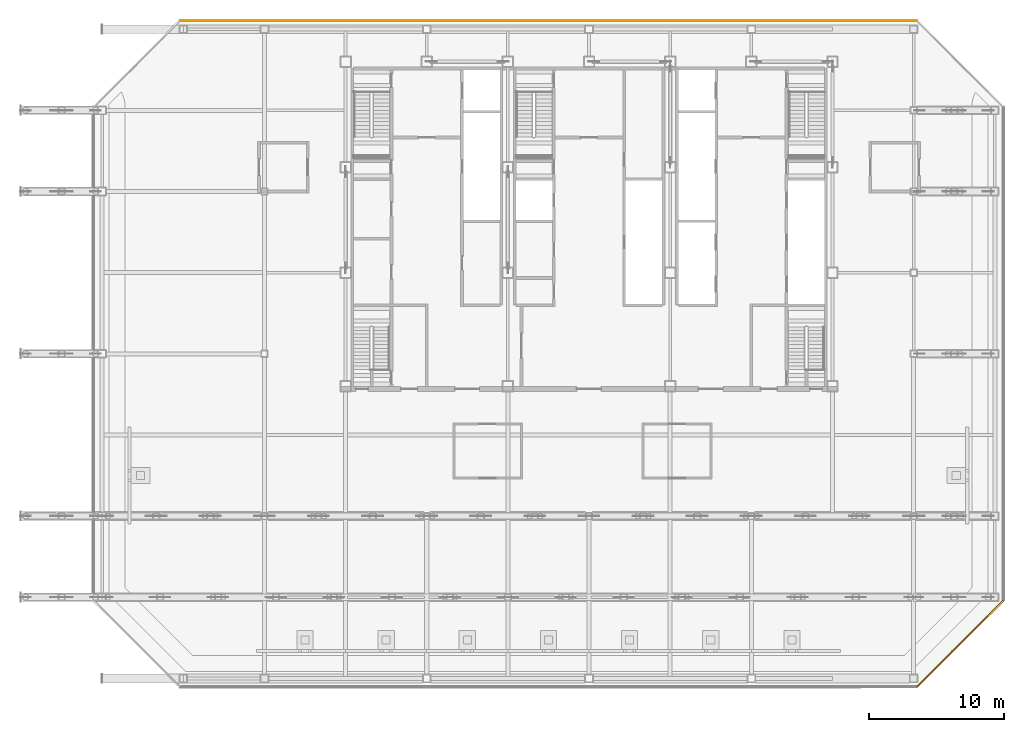
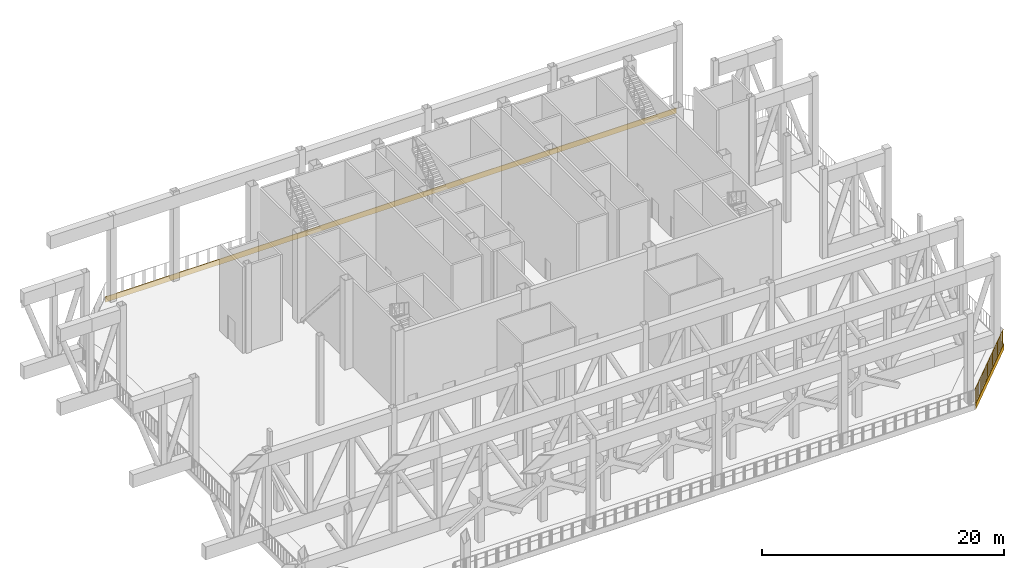
# One storey, part 20 of 22: 2 coverings, 1 railing.
"""IFC4 building model written with IfcOpenShell, lengths in metres."""

from ifc_helpers import new_model, si_unit, direction, frame, origin, origin_2d, place, context, subcontext, project, spatial, polyline, circle, outline, extrude, material, layer, layer_set, type_object, element, save


model = new_model("IFC4")

# Units and contexts
model_context = context("Model", 3, precision=1e-05, world=origin(), true_north=direction((0.0, 1.0)))
body_context = subcontext(model_context, "Body", "Model", "MODEL_VIEW")
ifc_project = project(units=[si_unit("LENGTHUNIT", "METRE"), si_unit("AREAUNIT", "SQUARE_METRE"), si_unit("VOLUMEUNIT", "CUBIC_METRE"), si_unit("PLANEANGLEUNIT", "RADIAN"), si_unit("MASSUNIT", "GRAM", prefix="KILO")], contexts=[model_context])

# Site, building, storey
site_placement = place(None, origin())
site = spatial("IfcSite", under=ifc_project, at=site_placement, CompositionType="ELEMENT")
building_placement = place(site_placement, origin())
building = spatial("IfcBuilding", under=site, at=building_placement, Name="Sorahane Residences", CompositionType="ELEMENT")
storey_placement = place(building_placement, frame((0.0, 0.0, 281.800048828125)))
storey = spatial("IfcBuildingStorey", under=building, at=storey_placement, Name="L67", CompositionType="ELEMENT", Elevation=281.800048828125)

# Coverings
ifc_material_1 = material(Name="White painted aluminium cladding", Category="aluminium")
ifc_layer = layer(ifc_material_1, 0.06005859375)
ifc_layer_set = layer_set([ifc_layer], Name="Slab edge fascia band white painted aluminium 550")
covering_type = type_object("IfcCoveringType", Name="Slab edge fascia band white painted aluminium 550", PredefinedType="CLADDING", material=ifc_layer_set)
covering_1_placement = place(storey_placement, frame((48.2626953125, -0.5859375, -0.275146484375), z_axis=(0.707106781187, 0.707106781187, 0.0), x_axis=(-0.707106781187, 0.707106781187, 0.0)))
element("IfcCovering", 1, at=covering_1_placement, inside=storey, type_object=covering_type, Name="Slab edge fascia white L67 SE1", PredefinedType="CLADDING", context=body_context, shape_type="SweptSolid", body=[
    extrude(outline(polyline([(-0.02001953125, 0.27490234375), (-0.080078125, 0.27490234375), (-0.080078125, -0.27490234375), (-0.02001953125, -0.27490234375), (-0.02001953125, 0.27490234375)])), origin(), (0.0, 0.0, 1.0), 8.9423828125),
])
covering_2_placement = place(storey_placement, frame((48.228515625, 48.60009765625, -0.275146484375), z_axis=(-1.0, 0.0, 0.0), x_axis=(0.0, -1.0, 0.0)))
element("IfcCovering", 2, at=covering_2_placement, inside=storey, type_object=covering_type, Name="Slab edge fascia white L67 N1", PredefinedType="CLADDING", context=body_context, shape_type="SweptSolid", body=[
    extrude(outline(polyline([(-0.02001953125, 0.27490234375), (-0.080078125, 0.27490234375), (-0.080078125, -0.27490234375), (-0.02001953125, -0.27490234375), (-0.02001953125, 0.27490234375)])), origin(), (0.0, 0.0, 1.0), 54.45703125),
])

# Railing
ifc_material_2 = material(Name="Black powder-coated steel", Category="steel")
railing_type = type_object("IfcRailingType", Name="Slot edge guard black steel bars 1460", PredefinedType="GUARDRAIL", material=ifc_material_2)
railing_placement = place(storey_placement, frame((48.24853515625, -0.60009765625, 0.0)))
element("IfcRailing", 3, at=railing_placement, inside=storey, type_object=railing_type, Name="Slot edge guard L67.2", PredefinedType="GUARDRAIL", context=body_context, shape_type="SweptSolid", body=[
    extrude(circle(Radius=0.030029296875, at=origin_2d()), frame((0.0, 0.0, 1.429931640625), z_axis=(0.707106781187, 0.707106781187, 0.0), x_axis=(-0.707106781187, 0.707106781187, 0.0)), (0.0, 0.0, 1.0), 8.982421875),
    extrude(circle(Radius=0.0068359375, at=origin_2d()), origin(), (0.0, 0.0, 1.0), 1.39990234375),
    extrude(circle(Radius=0.0068359375, at=origin_2d()), frame((0.070556640625, 0.070556640625, 0.0)), (0.0, 0.0, 1.0), 1.39990234375),
    extrude(circle(Radius=0.0068359375, at=origin_2d()), frame((0.14111328125, 0.14111328125, 0.0)), (0.0, 0.0, 1.0), 1.39990234375),
    extrude(circle(Radius=0.0068359375, at=origin_2d()), frame((0.211669921875, 0.211669921875, 0.0)), (0.0, 0.0, 1.0), 1.39990234375),
    extrude(circle(Radius=0.0068359375, at=origin_2d()), frame((0.2822265625, 0.2822265625, 0.0)), (0.0, 0.0, 1.0), 1.39990234375),
    extrude(circle(Radius=0.0068359375, at=origin_2d()), frame((0.352783203125, 0.352783203125, 0.0)), (0.0, 0.0, 1.0), 1.39990234375),
    extrude(circle(Radius=0.0068359375, at=origin_2d()), frame((0.42333984375, 0.42333984375, 0.0)), (0.0, 0.0, 1.0), 1.39990234375),
    extrude(circle(Radius=0.0068359375, at=origin_2d()), frame((0.493896484375, 0.493896484375, 0.0)), (0.0, 0.0, 1.0), 1.39990234375),
    extrude(circle(Radius=0.0068359375, at=origin_2d()), frame((0.564697265625, 0.564697265625, 0.0)), (0.0, 0.0, 1.0), 1.39990234375),
    extrude(circle(Radius=0.0068359375, at=origin_2d()), frame((0.63525390625, 0.63525390625, 0.0)), (0.0, 0.0, 1.0), 1.39990234375),
    extrude(circle(Radius=0.0068359375, at=origin_2d()), frame((0.705810546875, 0.705810546875, 0.0)), (0.0, 0.0, 1.0), 1.39990234375),
    extrude(circle(Radius=0.0068359375, at=origin_2d()), frame((0.7763671875, 0.7763671875, 0.0)), (0.0, 0.0, 1.0), 1.39990234375),
    extrude(circle(Radius=0.0068359375, at=origin_2d()), frame((0.846923828125, 0.846923828125, 0.0)), (0.0, 0.0, 1.0), 1.39990234375),
    extrude(circle(Radius=0.0068359375, at=origin_2d()), frame((0.91748046875, 0.91748046875, 0.0)), (0.0, 0.0, 1.0), 1.39990234375),
    extrude(circle(Radius=0.0068359375, at=origin_2d()), frame((0.988037109375, 0.988037109375, 0.0)), (0.0, 0.0, 1.0), 1.39990234375),
    extrude(circle(Radius=0.0068359375, at=origin_2d()), frame((1.05859375, 1.05859375, 0.0)), (0.0, 0.0, 1.0), 1.39990234375),
    extrude(circle(Radius=0.0068359375, at=origin_2d()), frame((1.129150390625, 1.129150390625, 0.0)), (0.0, 0.0, 1.0), 1.39990234375),
    extrude(circle(Radius=0.0068359375, at=origin_2d()), frame((1.19970703125, 1.19970703125, 0.0)), (0.0, 0.0, 1.0), 1.39990234375),
    extrude(circle(Radius=0.0068359375, at=origin_2d()), frame((1.270263671875, 1.270263671875, 0.0)), (0.0, 0.0, 1.0), 1.39990234375),
    extrude(circle(Radius=0.0068359375, at=origin_2d()), frame((1.3408203125, 1.3408203125, 0.0)), (0.0, 0.0, 1.0), 1.39990234375),
    extrude(circle(Radius=0.0068359375, at=origin_2d()), frame((1.411376953125, 1.411376953125, 0.0)), (0.0, 0.0, 1.0), 1.39990234375),
    extrude(circle(Radius=0.0068359375, at=origin_2d()), frame((1.48193359375, 1.48193359375, 0.0)), (0.0, 0.0, 1.0), 1.39990234375),
    extrude(circle(Radius=0.0068359375, at=origin_2d()), frame((1.552490234375, 1.552490234375, 0.0)), (0.0, 0.0, 1.0), 1.39990234375),
    extrude(circle(Radius=0.0068359375, at=origin_2d()), frame((1.623291015625, 1.623291015625, 0.0)), (0.0, 0.0, 1.0), 1.39990234375),
    extrude(circle(Radius=0.0068359375, at=origin_2d()), frame((1.69384765625, 1.69384765625, 0.0)), (0.0, 0.0, 1.0), 1.39990234375),
    extrude(circle(Radius=0.0068359375, at=origin_2d()), frame((1.764404296875, 1.764404296875, 0.0)), (0.0, 0.0, 1.0), 1.39990234375),
    extrude(circle(Radius=0.0068359375, at=origin_2d()), frame((1.8349609375, 1.8349609375, 0.0)), (0.0, 0.0, 1.0), 1.39990234375),
    extrude(circle(Radius=0.0068359375, at=origin_2d()), frame((1.905517578125, 1.905517578125, 0.0)), (0.0, 0.0, 1.0), 1.39990234375),
    extrude(circle(Radius=0.0068359375, at=origin_2d()), frame((1.97607421875, 1.97607421875, 0.0)), (0.0, 0.0, 1.0), 1.39990234375),
    extrude(circle(Radius=0.0068359375, at=origin_2d()), frame((2.046630859375, 2.046630859375, 0.0)), (0.0, 0.0, 1.0), 1.39990234375),
    extrude(circle(Radius=0.0068359375, at=origin_2d()), frame((2.1171875, 2.1171875, 0.0)), (0.0, 0.0, 1.0), 1.39990234375),
    extrude(circle(Radius=0.0068359375, at=origin_2d()), frame((2.187744140625, 2.187744140625, 0.0)), (0.0, 0.0, 1.0), 1.39990234375),
    extrude(circle(Radius=0.0068359375, at=origin_2d()), frame((2.25830078125, 2.25830078125, 0.0)), (0.0, 0.0, 1.0), 1.39990234375),
    extrude(circle(Radius=0.0068359375, at=origin_2d()), frame((2.328857421875, 2.328857421875, 0.0)), (0.0, 0.0, 1.0), 1.39990234375),
    extrude(circle(Radius=0.0068359375, at=origin_2d()), frame((2.3994140625, 2.3994140625, 0.0)), (0.0, 0.0, 1.0), 1.39990234375),
    extrude(circle(Radius=0.0068359375, at=origin_2d()), frame((2.469970703125, 2.469970703125, 0.0)), (0.0, 0.0, 1.0), 1.39990234375),
    extrude(circle(Radius=0.0068359375, at=origin_2d()), frame((2.54052734375, 2.54052734375, 0.0)), (0.0, 0.0, 1.0), 1.39990234375),
    extrude(circle(Radius=0.0068359375, at=origin_2d()), frame((2.611083984375, 2.611083984375, 0.0)), (0.0, 0.0, 1.0), 1.39990234375),
    extrude(circle(Radius=0.0068359375, at=origin_2d()), frame((2.681884765625, 2.681884765625, 0.0)), (0.0, 0.0, 1.0), 1.39990234375),
    extrude(circle(Radius=0.0068359375, at=origin_2d()), frame((2.75244140625, 2.75244140625, 0.0)), (0.0, 0.0, 1.0), 1.39990234375),
    extrude(circle(Radius=0.0068359375, at=origin_2d()), frame((2.822998046875, 2.822998046875, 0.0)), (0.0, 0.0, 1.0), 1.39990234375),
    extrude(circle(Radius=0.0068359375, at=origin_2d()), frame((2.8935546875, 2.8935546875, 0.0)), (0.0, 0.0, 1.0), 1.39990234375),
    extrude(circle(Radius=0.0068359375, at=origin_2d()), frame((2.964111328125, 2.964111328125, 0.0)), (0.0, 0.0, 1.0), 1.39990234375),
    extrude(circle(Radius=0.0068359375, at=origin_2d()), frame((3.03466796875, 3.03466796875, 0.0)), (0.0, 0.0, 1.0), 1.39990234375),
    extrude(circle(Radius=0.0068359375, at=origin_2d()), frame((3.105224609375, 3.105224609375, 0.0)), (0.0, 0.0, 1.0), 1.39990234375),
    extrude(circle(Radius=0.0068359375, at=origin_2d()), frame((3.17578125, 3.17578125, 0.0)), (0.0, 0.0, 1.0), 1.39990234375),
    extrude(circle(Radius=0.0068359375, at=origin_2d()), frame((3.246337890625, 3.246337890625, 0.0)), (0.0, 0.0, 1.0), 1.39990234375),
    extrude(circle(Radius=0.0068359375, at=origin_2d()), frame((3.31689453125, 3.31689453125, 0.0)), (0.0, 0.0, 1.0), 1.39990234375),
    extrude(circle(Radius=0.0068359375, at=origin_2d()), frame((3.387451171875, 3.387451171875, 0.0)), (0.0, 0.0, 1.0), 1.39990234375),
    extrude(circle(Radius=0.0068359375, at=origin_2d()), frame((3.4580078125, 3.4580078125, 0.0)), (0.0, 0.0, 1.0), 1.39990234375),
    extrude(circle(Radius=0.0068359375, at=origin_2d()), frame((3.528564453125, 3.528564453125, 0.0)), (0.0, 0.0, 1.0), 1.39990234375),
    extrude(circle(Radius=0.0068359375, at=origin_2d()), frame((3.59912109375, 3.59912109375, 0.0)), (0.0, 0.0, 1.0), 1.39990234375),
    extrude(circle(Radius=0.0068359375, at=origin_2d()), frame((3.669677734375, 3.669677734375, 0.0)), (0.0, 0.0, 1.0), 1.39990234375),
    extrude(circle(Radius=0.0068359375, at=origin_2d()), frame((3.740478515625, 3.740478515625, 0.0)), (0.0, 0.0, 1.0), 1.39990234375),
    extrude(circle(Radius=0.0068359375, at=origin_2d()), frame((3.81103515625, 3.81103515625, 0.0)), (0.0, 0.0, 1.0), 1.39990234375),
    extrude(circle(Radius=0.0068359375, at=origin_2d()), frame((3.881591796875, 3.881591796875, 0.0)), (0.0, 0.0, 1.0), 1.39990234375),
    extrude(circle(Radius=0.0068359375, at=origin_2d()), frame((3.9521484375, 3.9521484375, 0.0)), (0.0, 0.0, 1.0), 1.39990234375),
    extrude(circle(Radius=0.0068359375, at=origin_2d()), frame((4.022705078125, 4.022705078125, 0.0)), (0.0, 0.0, 1.0), 1.39990234375),
    extrude(circle(Radius=0.0068359375, at=origin_2d()), frame((4.09326171875, 4.09326171875, 0.0)), (0.0, 0.0, 1.0), 1.39990234375),
    extrude(circle(Radius=0.0068359375, at=origin_2d()), frame((4.163818359375, 4.163818359375, 0.0)), (0.0, 0.0, 1.0), 1.39990234375),
    extrude(circle(Radius=0.0068359375, at=origin_2d()), frame((4.234375, 4.234375, 0.0)), (0.0, 0.0, 1.0), 1.39990234375),
    extrude(circle(Radius=0.0068359375, at=origin_2d()), frame((4.304931640625, 4.304931640625, 0.0)), (0.0, 0.0, 1.0), 1.39990234375),
    extrude(circle(Radius=0.0068359375, at=origin_2d()), frame((4.37548828125, 4.37548828125, 0.0)), (0.0, 0.0, 1.0), 1.39990234375),
    extrude(circle(Radius=0.0068359375, at=origin_2d()), frame((4.446044921875, 4.446044921875, 0.0)), (0.0, 0.0, 1.0), 1.39990234375),
    extrude(circle(Radius=0.0068359375, at=origin_2d()), frame((4.5166015625, 4.5166015625, 0.0)), (0.0, 0.0, 1.0), 1.39990234375),
    extrude(circle(Radius=0.0068359375, at=origin_2d()), frame((4.587158203125, 4.587158203125, 0.0)), (0.0, 0.0, 1.0), 1.39990234375),
    extrude(circle(Radius=0.0068359375, at=origin_2d()), frame((4.65771484375, 4.65771484375, 0.0)), (0.0, 0.0, 1.0), 1.39990234375),
    extrude(circle(Radius=0.0068359375, at=origin_2d()), frame((4.728271484375, 4.728271484375, 0.0)), (0.0, 0.0, 1.0), 1.39990234375),
    extrude(circle(Radius=0.0068359375, at=origin_2d()), frame((4.799072265625, 4.799072265625, 0.0)), (0.0, 0.0, 1.0), 1.39990234375),
    extrude(circle(Radius=0.0068359375, at=origin_2d()), frame((4.86962890625, 4.86962890625, 0.0)), (0.0, 0.0, 1.0), 1.39990234375),
    extrude(circle(Radius=0.0068359375, at=origin_2d()), frame((4.940185546875, 4.940185546875, 0.0)), (0.0, 0.0, 1.0), 1.39990234375),
    extrude(circle(Radius=0.0068359375, at=origin_2d()), frame((5.0107421875, 5.0107421875, 0.0)), (0.0, 0.0, 1.0), 1.39990234375),
    extrude(circle(Radius=0.0068359375, at=origin_2d()), frame((5.081298828125, 5.081298828125, 0.0)), (0.0, 0.0, 1.0), 1.39990234375),
    extrude(circle(Radius=0.0068359375, at=origin_2d()), frame((5.15185546875, 5.15185546875, 0.0)), (0.0, 0.0, 1.0), 1.39990234375),
    extrude(circle(Radius=0.0068359375, at=origin_2d()), frame((5.222412109375, 5.222412109375, 0.0)), (0.0, 0.0, 1.0), 1.39990234375),
    extrude(circle(Radius=0.0068359375, at=origin_2d()), frame((5.29296875, 5.29296875, 0.0)), (0.0, 0.0, 1.0), 1.39990234375),
    extrude(circle(Radius=0.0068359375, at=origin_2d()), frame((5.363525390625, 5.363525390625, 0.0)), (0.0, 0.0, 1.0), 1.39990234375),
    extrude(circle(Radius=0.0068359375, at=origin_2d()), frame((5.43408203125, 5.43408203125, 0.0)), (0.0, 0.0, 1.0), 1.39990234375),
    extrude(circle(Radius=0.0068359375, at=origin_2d()), frame((5.504638671875, 5.504638671875, 0.0)), (0.0, 0.0, 1.0), 1.39990234375),
    extrude(circle(Radius=0.0068359375, at=origin_2d()), frame((5.5751953125, 5.5751953125, 0.0)), (0.0, 0.0, 1.0), 1.39990234375),
    extrude(circle(Radius=0.0068359375, at=origin_2d()), frame((5.645751953125, 5.645751953125, 0.0)), (0.0, 0.0, 1.0), 1.39990234375),
    extrude(circle(Radius=0.0068359375, at=origin_2d()), frame((5.71630859375, 5.71630859375, 0.0)), (0.0, 0.0, 1.0), 1.39990234375),
    extrude(circle(Radius=0.0068359375, at=origin_2d()), frame((5.786865234375, 5.786865234375, 0.0)), (0.0, 0.0, 1.0), 1.39990234375),
    extrude(circle(Radius=0.0068359375, at=origin_2d()), frame((5.857666015625, 5.857666015625, 0.0)), (0.0, 0.0, 1.0), 1.39990234375),
    extrude(circle(Radius=0.0068359375, at=origin_2d()), frame((5.92822265625, 5.92822265625, 0.0)), (0.0, 0.0, 1.0), 1.39990234375),
    extrude(circle(Radius=0.0068359375, at=origin_2d()), frame((5.998779296875, 5.998779296875, 0.0)), (0.0, 0.0, 1.0), 1.39990234375),
    extrude(circle(Radius=0.0068359375, at=origin_2d()), frame((6.0693359375, 6.0693359375, 0.0)), (0.0, 0.0, 1.0), 1.39990234375),
    extrude(circle(Radius=0.0068359375, at=origin_2d()), frame((6.139892578125, 6.139892578125, 0.0)), (0.0, 0.0, 1.0), 1.39990234375),
    extrude(circle(Radius=0.0068359375, at=origin_2d()), frame((6.21044921875, 6.21044921875, 0.0)), (0.0, 0.0, 1.0), 1.39990234375),
    extrude(circle(Radius=0.0068359375, at=origin_2d()), frame((6.281005859375, 6.281005859375, 0.0)), (0.0, 0.0, 1.0), 1.39990234375),
    extrude(circle(Radius=0.0068359375, at=origin_2d()), frame((6.3515625, 6.3515625, 0.0)), (0.0, 0.0, 1.0), 1.39990234375),
])

save(model, "model.ifc")
